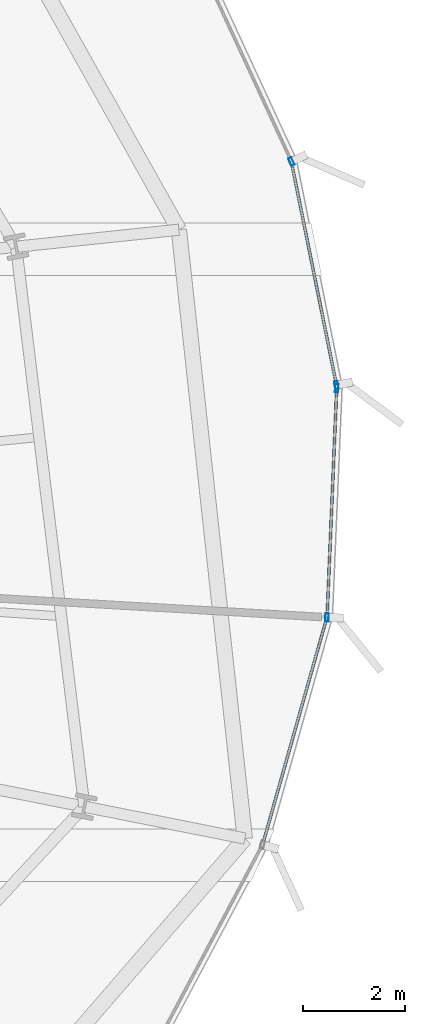
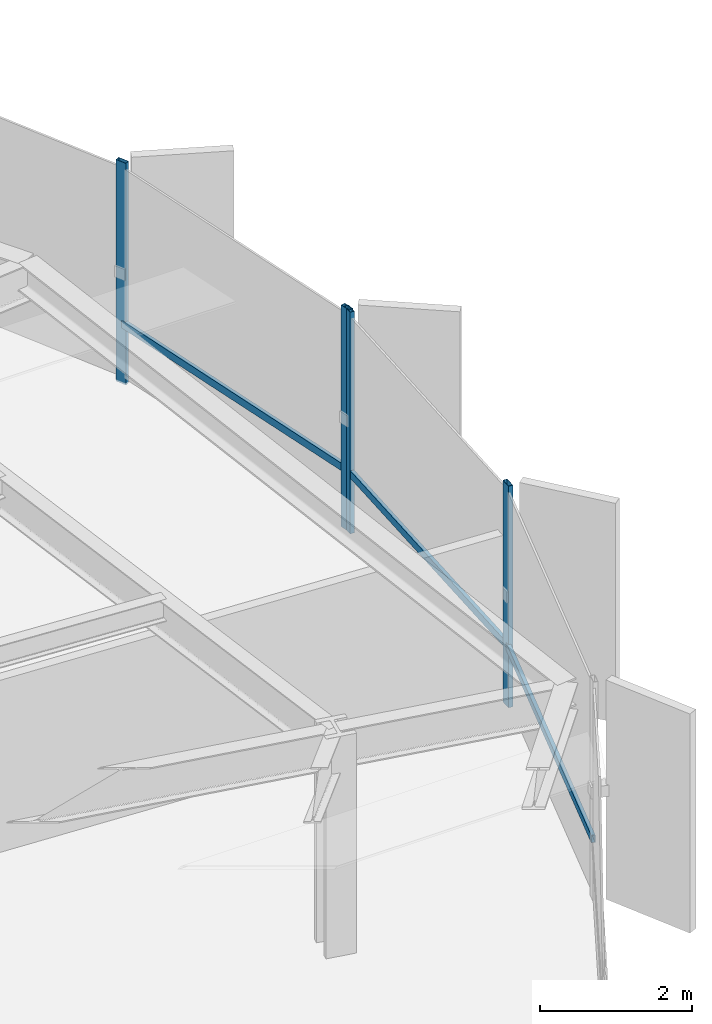
# One storey, part 28 of 37: 7 members, 2 elements without a shape of their own.
"""IFC4 building model written with IfcOpenShell, lengths in metres."""

from ifc_helpers import new_model, si_unit, direction, frame, origin, origin_2d, place, context, subcontext, project, spatial, hollow_rectangle, extrude, source, transform, mapped, material, layer, layer_set, material_profile, profile_set, type_object, element, aggregate, save


model = new_model("IFC4")

# Units and contexts
model_context = context("Model", 3, precision=1e-05, world=origin(), true_north=direction((0.0, 1.0)))
body_context = subcontext(model_context, "Body", "Model", "MODEL_VIEW")
ifc_project = project(units=[si_unit("LENGTHUNIT", "METRE"), si_unit("AREAUNIT", "SQUARE_METRE"), si_unit("VOLUMEUNIT", "CUBIC_METRE"), si_unit("PLANEANGLEUNIT", "RADIAN"), si_unit("MASSUNIT", "GRAM", prefix="KILO"), si_unit("THERMODYNAMICTEMPERATUREUNIT", "KELVIN")], contexts=[model_context])

# Site, building, storey
site_placement = place(None, origin())
site = spatial("IfcSite", under=ifc_project, at=site_placement, CompositionType="ELEMENT")
building_placement = place(site_placement, origin())
building = spatial("IfcBuilding", under=site, at=building_placement, Name="Kethvar Cultural Tower", CompositionType="ELEMENT")
storey_placement = place(building_placement, frame((0.0, 0.0, 48.60009765625)))
storey = spatial("IfcBuildingStorey", under=building, at=storey_placement, Name="L11", CompositionType="ELEMENT", Elevation=48.60009765625)

# Curtain wall, members
ifc_material = material(Name="Aluminium 6063-T6", Category="aluminium")
ifc_layer = layer(ifc_material, 0.179931640625, Name="Aluminium 6063-T6", Category="aluminium")
ifc_layer_set = layer_set([ifc_layer], Name="Aluminium 6063-T6 (180 mm)")
curtain_wall_type = type_object("IfcCurtainWallType", Name="CW-SYS-02-Z1", PredefinedType="NOTDEFINED", material=ifc_layer_set)
curtain_wall_1_placement = place(storey_placement, origin())
curtain_wall_1 = element("IfcCurtainWall", 1, at=curtain_wall_1_placement, inside=storey, type_object=curtain_wall_type, Name="L11 Curtain Wall Run 01", PredefinedType="NOTDEFINED")
ifc_material_profile_1 = material_profile(ifc_material, hollow_rectangle(XDim=0.06494140625, YDim=0.159912109375, WallThickness=0.0048828125, at=origin_2d()), Name="Aluminium 6063-T6 — RHS160x65x5")
ifc_profile_set_1 = profile_set([ifc_material_profile_1], Name="Aluminium 6063-T6 — RHS160x65x5")
member_type_1 = type_object("IfcMemberType", Name="CW-SYS-02-Z1-MUL", PredefinedType="MULLION", material=ifc_profile_set_1)
shared_shape_1 = source(origin(), body_context, "Body", "SweptSolid", [
    extrude(hollow_rectangle(XDim=0.06494140625, YDim=0.159912109375, WallThickness=0.0048828125, at=origin_2d()), origin(), (0.0, 0.0, 1.0), 3.5498046875),
])
member_1_placement = place(storey_placement, frame((79.922607421875, 30.434326171875, 0.0), z_axis=(0.0, 0.0, 1.0), x_axis=(-0.980209030363, -0.197965291892, 0.0)))
member_1 = element("IfcMember", 2, at=member_1_placement, type_object=member_type_1, Name="CW-L11-R01 Mullion 1", PredefinedType="MULLION", context=body_context, shape_type="MappedRepresentation", body=[
    mapped(shared_shape_1, transform((0.0, 0.0, 0.0), scale=1.0)),
])
member_2_placement = place(storey_placement, frame((79.042724609375, 34.808349609375, 0.0), z_axis=(0.0, 0.0, 1.0), x_axis=(-0.907909208492, -0.419166875046, 0.0)))
member_2 = element("IfcMember", 3, at=member_2_placement, type_object=member_type_1, Name="CW-L11-R01 Mullion 2", PredefinedType="MULLION", context=body_context, shape_type="MappedRepresentation", body=[
    mapped(shared_shape_1, transform((0.0, 0.0, 0.0), scale=1.0)),
])

curtain_wall_2_placement = place(storey_placement, origin())
curtain_wall_2 = element("IfcCurtainWall", 4, at=curtain_wall_2_placement, inside=storey, type_object=curtain_wall_type, Name="L11 Curtain Wall Run 06", PredefinedType="NOTDEFINED")
member_3_placement = place(storey_placement, frame((79.73779296875, 25.894287109375, 0.0), z_axis=(0.0, 0.0, 1.0), x_axis=(-0.999110361364, 0.042172097593, 0.0)))
member_3 = element("IfcMember", 5, at=member_3_placement, type_object=member_type_1, Name="CW-L11-R06 Mullion 6", PredefinedType="MULLION", context=body_context, shape_type="MappedRepresentation", body=[
    mapped(shared_shape_1, transform((0.0, 0.0, 0.0), scale=1.0)),
])
member_4_placement = place(storey_placement, frame((79.927001953125, 30.37939453125, 0.0), z_axis=(0.0, 0.0, 1.0), x_axis=(-0.999110361364, 0.042172097593, 0.0)))
member_4 = element("IfcMember", 6, at=member_4_placement, type_object=member_type_1, Name="CW-L11-R06 Mullion 7", PredefinedType="MULLION", context=body_context, shape_type="MappedRepresentation", body=[
    mapped(shared_shape_1, transform((0.0, 0.0, 0.0), scale=1.0)),
])

# Member
ifc_material_profile_2 = material_profile(ifc_material, hollow_rectangle(XDim=0.054931640625, YDim=0.1201171875, WallThickness=0.00390625, at=origin_2d()), Name="Aluminium 6063-T6 — RHS120x55x4")
ifc_profile_set_2 = profile_set([ifc_material_profile_2], Name="Aluminium 6063-T6 — RHS120x55x4")
member_type_2 = type_object("IfcMemberType", Name="CW-SYS-02-Z1-TRN", PredefinedType="USERDEFINED", material=ifc_profile_set_2)
shared_shape_2 = source(origin(), body_context, "Body", "SweptSolid", [
    extrude(hollow_rectangle(XDim=0.054931640625, YDim=0.1201171875, WallThickness=0.00390625, at=origin_2d()), origin(), (0.0, 0.0, 1.0), 4.438232421875),
])
member_5_placement = place(storey_placement, frame((79.921875, 30.438720703125, 0.949951171875), z_axis=(-0.197977626922, 0.980206539071, 0.0), x_axis=(-0.980206539071, -0.197977626922, 0.0)))
member_5 = element("IfcMember", 7, at=member_5_placement, type_object=member_type_2, Name="CW-L11-R01 Transom 1", ObjectType="TRANSOM", PredefinedType="USERDEFINED", context=body_context, shape_type="MappedRepresentation", body=[
    mapped(shared_shape_2, transform((0.0, 0.0, 0.0), scale=1.0)),
])

aggregate(curtain_wall_1, [member_1, member_2, member_5])

shared_shape_3 = source(origin(), body_context, "Body", "SweptSolid", [
    extrude(hollow_rectangle(XDim=0.054931640625, YDim=0.1201171875, WallThickness=0.00390625, at=origin_2d()), origin(), (0.0, 0.0, 1.0), 4.556640625),
])
member_6_placement = place(storey_placement, frame((78.489990234375, 21.491943359375, 0.949951171875), z_axis=(0.272023879475, 0.962290501354, 0.0), x_axis=(-0.962290501354, 0.272023879475, 0.0)))
member_6 = element("IfcMember", 8, at=member_6_placement, type_object=member_type_2, Name="CW-L11-R06 Transom 5", ObjectType="TRANSOM", PredefinedType="USERDEFINED", context=body_context, shape_type="MappedRepresentation", body=[
    mapped(shared_shape_3, transform((0.0, 0.0, 0.0), scale=1.0)),
])

shared_shape_4 = source(origin(), body_context, "Body", "SweptSolid", [
    extrude(hollow_rectangle(XDim=0.054931640625, YDim=0.1201171875, WallThickness=0.00390625, at=origin_2d()), origin(), (0.0, 0.0, 1.0), 4.43798828125),
])
member_7_placement = place(storey_placement, frame((79.73974609375, 25.94091796875, 0.949951171875), z_axis=(0.042138510205, 0.99911177851, 0.0), x_axis=(-0.99911177851, 0.042138510205, 0.0)))
member_7 = element("IfcMember", 9, at=member_7_placement, type_object=member_type_2, Name="CW-L11-R06 Transom 6", ObjectType="TRANSOM", PredefinedType="USERDEFINED", context=body_context, shape_type="MappedRepresentation", body=[
    mapped(shared_shape_4, transform((0.0, 0.0, 0.0), scale=1.0)),
])

aggregate(curtain_wall_2, [member_3, member_4, member_6, member_7])

save(model, "model.ifc")
